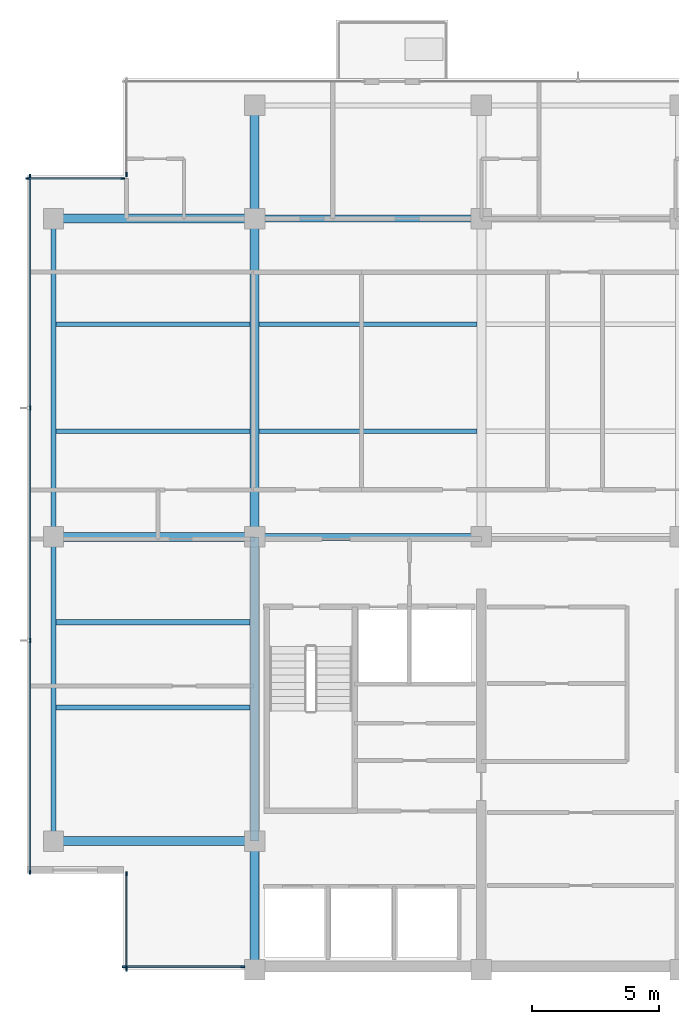
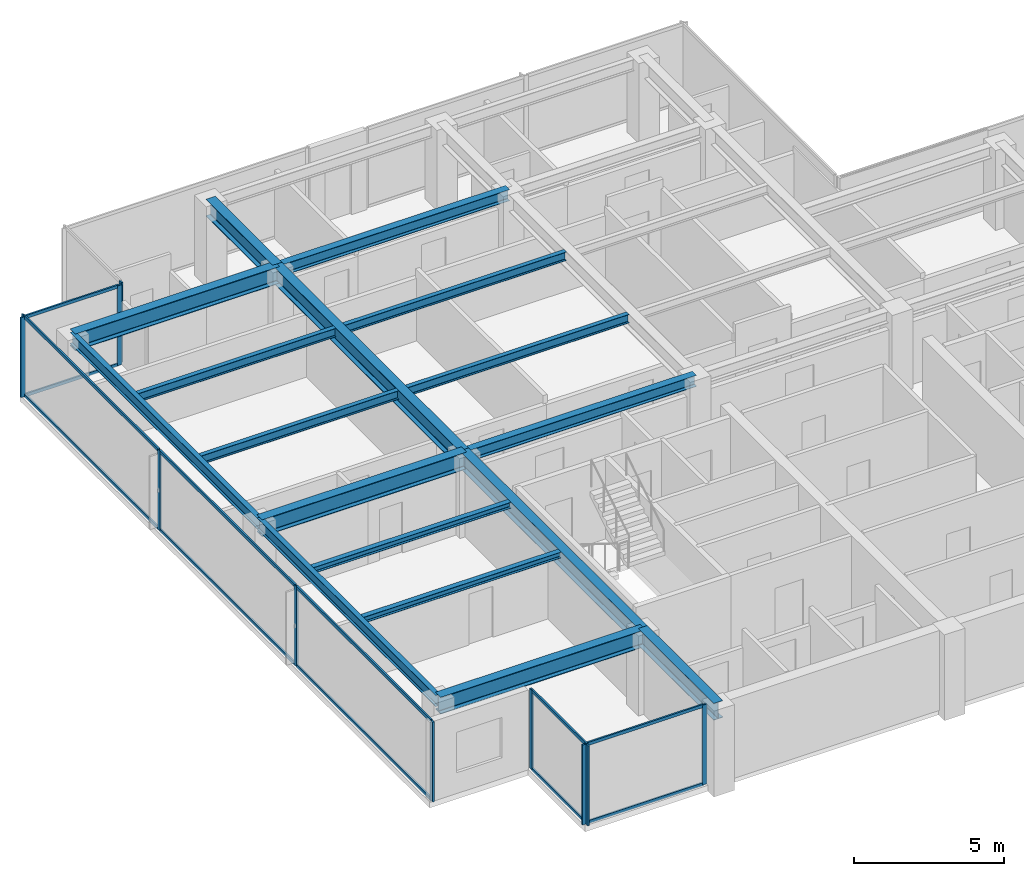
# One storey, part 2 of 11: 23 members, 17 beams, 5 elements without a shape of their own.
"""IFC4 building model written with IfcOpenShell, lengths in metres."""

from ifc_helpers import new_model, si_unit, direction, frame, origin, origin_2d, place, context, subcontext, project, spatial, rectangle, i_section, extrude, material, layer, layer_set, material_profile, profile_set, type_object, element, aggregate, save


model = new_model("IFC4")

# Units and contexts
model_context = context("Model", 3, precision=1e-05, world=origin(), true_north=direction((0.0, 1.0)))
body_context = subcontext(model_context, "Body", "Model", "MODEL_VIEW")
ifc_project = project(units=[si_unit("LENGTHUNIT", "METRE"), si_unit("AREAUNIT", "SQUARE_METRE"), si_unit("VOLUMEUNIT", "CUBIC_METRE"), si_unit("PLANEANGLEUNIT", "RADIAN"), si_unit("MASSUNIT", "GRAM", prefix="KILO")], contexts=[model_context])

# Site, building, storey
site_placement = place(None, origin())
site = spatial("IfcSite", under=ifc_project, at=site_placement, CompositionType="ELEMENT")
building_placement = place(site_placement, origin())
building = spatial("IfcBuilding", under=site, at=building_placement, Name="Qalmaran Belvedere Hotel", CompositionType="ELEMENT")
storey_placement = place(building_placement, frame((0.0, 0.0, 245.89990234375)))
storey = spatial("IfcBuildingStorey", under=building, at=storey_placement, Name="L63", CompositionType="ELEMENT", Elevation=245.89990234375)

# Beams
ifc_material_1 = material(Name="Steel S355JR", Category="steel")
ifc_material_profile_1 = material_profile(ifc_material_1, i_section(OverallWidth=0.201904296875, OverallDepth=0.2470703125, WebThickness=0.00732421875, FlangeThickness=0.010986328125, FilletRadius=0.011962890625, at=origin_2d()), Name="W250X49")
ifc_profile_set_1 = profile_set([ifc_material_profile_1], Name="Steel S355JR")
beam_type_1 = type_object("IfcBeamType", Name="BM-JST-W250X49", PredefinedType="JOIST", material=ifc_profile_set_1)
for number, where, z_axis, x_axis, name in (
    (1, (12.493896484375, 13.800048828125, 3.13671875), (1.0, 0.0, 0.0), (0.0, 1.0, 0.0), "L63 West Wing Joist 031"),
    (2, (12.493896484375, 17.14990234375, 3.13671875), (1.0, 0.0, 0.0), (0.0, 1.0, 0.0), "L63 West Wing Joist 033"),
):
    element("IfcBeam", number, at=place(storey_placement, frame(where, z_axis=z_axis, x_axis=x_axis)), inside=storey, type_object=beam_type_1, Name=name, PredefinedType="JOIST", context=body_context, shape_type="SweptSolid", body=[
        extrude(i_section(OverallWidth=0.201904296875, OverallDepth=0.2470703125, WebThickness=0.00732421875, FlangeThickness=0.010986328125, FilletRadius=0.011962890625, at=origin_2d()), origin(), (0.0, 0.0, 1.0), 7.630615234375),
    ])
ifc_material_profile_2 = material_profile(ifc_material_1, i_section(OverallWidth=0.172119140625, OverallDepth=0.35791015625, WebThickness=0.0078125, FlangeThickness=0.01318359375, FilletRadius=0.014892578125, at=origin_2d()), Name="W360X57")
ifc_profile_set_2 = profile_set([ifc_material_profile_2], Name="Steel S355JR")
beam_type_2 = type_object("IfcBeamType", Name="BM-SB4-W360X57", PredefinedType="BEAM", material=ifc_profile_set_2)
beam_1_placement = place(storey_placement, frame((12.493896484375, 24.64990234375, 3.0810546875), z_axis=(1.0, 0.0, 0.0), x_axis=(0.0, 1.0, 0.0)))
element("IfcBeam", 3, at=beam_1_placement, inside=storey, type_object=beam_type_2, Name="L63 West Secondary Beam 024", PredefinedType="BEAM", context=body_context, shape_type="SweptSolid", body=[
    extrude(i_section(OverallWidth=0.172119140625, OverallDepth=0.35791015625, WebThickness=0.0078125, FlangeThickness=0.01318359375, FilletRadius=0.014892578125, at=origin_2d()), origin(), (0.0, 0.0, 1.0), 7.630615234375),
])
beam_2_placement = place(storey_placement, frame((20.4755859375, 24.64990234375, 3.0810546875), z_axis=(1.0, 0.0, 0.0), x_axis=(0.0, 1.0, 0.0)))
element("IfcBeam", 4, at=beam_2_placement, inside=storey, type_object=beam_type_2, Name="L63 Secondary Floor Beam 025", PredefinedType="BEAM", context=body_context, shape_type="SweptSolid", body=[
    extrude(i_section(OverallWidth=0.172119140625, OverallDepth=0.35791015625, WebThickness=0.0078125, FlangeThickness=0.01318359375, FilletRadius=0.014892578125, at=origin_2d()), origin(), (0.0, 0.0, 1.0), 8.548828125),
])
beam_3_placement = place(storey_placement, frame((12.493896484375, 28.85009765625, 3.0810546875), z_axis=(1.0, 0.0, 0.0), x_axis=(0.0, 1.0, 0.0)))
element("IfcBeam", 5, at=beam_3_placement, inside=storey, type_object=beam_type_2, Name="L63 West Secondary Beam 028", PredefinedType="BEAM", context=body_context, shape_type="SweptSolid", body=[
    extrude(i_section(OverallWidth=0.172119140625, OverallDepth=0.35791015625, WebThickness=0.0078125, FlangeThickness=0.01318359375, FilletRadius=0.014892578125, at=origin_2d()), origin(), (0.0, 0.0, 1.0), 7.630615234375),
])
beam_4_placement = place(storey_placement, frame((20.4755859375, 28.85009765625, 3.0810546875), z_axis=(1.0, 0.0, 0.0), x_axis=(0.0, 1.0, 0.0)))
element("IfcBeam", 6, at=beam_4_placement, inside=storey, type_object=beam_type_2, Name="L63 Secondary Floor Beam 029", PredefinedType="BEAM", context=body_context, shape_type="SweptSolid", body=[
    extrude(i_section(OverallWidth=0.172119140625, OverallDepth=0.35791015625, WebThickness=0.0078125, FlangeThickness=0.01318359375, FilletRadius=0.014892578125, at=origin_2d()), origin(), (0.0, 0.0, 1.0), 8.548828125),
])
ifc_material_profile_3 = material_profile(ifc_material_1, i_section(OverallWidth=0.19189453125, OverallDepth=0.462890625, WebThickness=0.010498046875, FlangeThickness=0.017578125, FilletRadius=0.01611328125, at=origin_2d()), Name="W460X89")
ifc_profile_set_3 = profile_set([ifc_material_profile_3], Name="Steel S355JR")
beam_type_3 = type_object("IfcBeamType", Name="BM-SP2-W460X89", PredefinedType="SPANDREL", material=ifc_profile_set_3)
beam_5_placement = place(storey_placement, frame((12.39990234375, 8.550048828125, 3.028564453125), z_axis=(0.0, 1.0, 0.0), x_axis=(-1.0, 0.0, 0.0)))
element("IfcBeam", 7, at=beam_5_placement, inside=storey, type_object=beam_type_3, Name="L63 Perimeter Spandrel 01", PredefinedType="SPANDREL", context=body_context, shape_type="SweptSolid", body=[
    extrude(i_section(OverallWidth=0.19189453125, OverallDepth=0.462890625, WebThickness=0.010498046875, FlangeThickness=0.017578125, FilletRadius=0.01611328125, at=origin_2d()), origin(), (0.0, 0.0, 1.0), 11.949951171875),
])
beam_6_placement = place(storey_placement, frame((12.39990234375, 20.5, 3.028564453125), z_axis=(0.0, 1.0, 0.0), x_axis=(-1.0, 0.0, 0.0)))
element("IfcBeam", 8, at=beam_6_placement, inside=storey, type_object=beam_type_3, Name="L63 Perimeter Spandrel 02", PredefinedType="SPANDREL", context=body_context, shape_type="SweptSolid", body=[
    extrude(i_section(OverallWidth=0.19189453125, OverallDepth=0.462890625, WebThickness=0.010498046875, FlangeThickness=0.017578125, FilletRadius=0.01611328125, at=origin_2d()), origin(), (0.0, 0.0, 1.0), 12.5),
])
ifc_material_profile_4 = material_profile(ifc_material_1, i_section(OverallWidth=0.35498046875, OverallDepth=0.695068359375, WebThickness=0.015380859375, FlangeThickness=0.02490234375, FilletRadius=0.02197265625, at=origin_2d()), Name="W690X217")
ifc_profile_set_4 = profile_set([ifc_material_profile_4], Name="Steel S355JR")
beam_type_4 = type_object("IfcBeamType", Name="BM-Z1-W690X217", PredefinedType="USERDEFINED", material=ifc_profile_set_4)
beam_7_placement = place(storey_placement, frame((20.300048828125, 20.5, 2.91259765625), z_axis=(0.0, 1.0, 0.0), x_axis=(-1.0, 0.0, 0.0)))
element("IfcBeam", 9, at=beam_7_placement, inside=storey, type_object=beam_type_4, Name="L63 Mid-Plate N-S Girder 11", ObjectType="GIRDER", PredefinedType="USERDEFINED", context=body_context, shape_type="SweptSolid", body=[
    extrude(i_section(OverallWidth=0.35498046875, OverallDepth=0.695068359375, WebThickness=0.015380859375, FlangeThickness=0.02490234375, FilletRadius=0.02197265625, at=origin_2d()), origin(), (0.0, 0.0, 1.0), 12.5),
])
beam_8_placement = place(storey_placement, frame((20.300048828125, 33.0, 2.91259765625), z_axis=(0.0, 1.0, 0.0), x_axis=(-1.0, 0.0, 0.0)))
element("IfcBeam", 10, at=beam_8_placement, inside=storey, type_object=beam_type_4, Name="L63 North Bay Girder 12", ObjectType="GIRDER", PredefinedType="USERDEFINED", context=body_context, shape_type="SweptSolid", body=[
    extrude(i_section(OverallWidth=0.35498046875, OverallDepth=0.695068359375, WebThickness=0.015380859375, FlangeThickness=0.02490234375, FilletRadius=0.02197265625, at=origin_2d()), origin(), (0.0, 0.0, 1.0), 4.449951171875),
])
for number, where, z_axis, x_axis, name in (
    (11, (12.39990234375, 8.550048828125, 2.91259765625), (1.0, 0.0, 0.0), (0.0, 1.0, 0.0), "L63 West Wing Girder 19"),
    (12, (12.39990234375, 20.5, 2.91259765625), (1.0, 0.0, 0.0), (0.0, 1.0, 0.0), "L63 West Wing Girder 20"),
    (13, (12.39990234375, 33.0, 2.91259765625), (1.0, 0.0, 0.0), (0.0, 1.0, 0.0), "L63 West Wing Girder 21"),
):
    element("IfcBeam", number, at=place(storey_placement, frame(where, z_axis=z_axis, x_axis=x_axis)), inside=storey, type_object=beam_type_4, Name=name, ObjectType="GIRDER", PredefinedType="USERDEFINED", context=body_context, shape_type="SweptSolid", body=[
        extrude(i_section(OverallWidth=0.35498046875, OverallDepth=0.695068359375, WebThickness=0.015380859375, FlangeThickness=0.02490234375, FilletRadius=0.02197265625, at=origin_2d()), origin(), (0.0, 0.0, 1.0), 7.900146484375),
    ])
beam_9_placement = place(storey_placement, frame((20.300048828125, 3.5, 2.91259765625), z_axis=(0.0, 1.0, 0.0), x_axis=(-1.0, 0.0, 0.0)))
element("IfcBeam", 14, at=beam_9_placement, inside=storey, type_object=beam_type_4, Name="L63 West Core Edge Girder A", ObjectType="GIRDER", PredefinedType="USERDEFINED", context=body_context, shape_type="SweptSolid", body=[
    extrude(i_section(OverallWidth=0.35498046875, OverallDepth=0.695068359375, WebThickness=0.015380859375, FlangeThickness=0.02490234375, FilletRadius=0.02197265625, at=origin_2d()), origin(), (0.0, 0.0, 1.0), 5.050048828125),
])
beam_10_placement = place(storey_placement, frame((20.300048828125, 8.550048828125, 2.91259765625), z_axis=(0.0, 1.0, 0.0), x_axis=(-1.0, 0.0, 0.0)))
element("IfcBeam", 15, at=beam_10_placement, inside=storey, type_object=beam_type_4, Name="L63 West Core Edge Girder B", ObjectType="GIRDER", PredefinedType="USERDEFINED", context=body_context, shape_type="SweptSolid", body=[
    extrude(i_section(OverallWidth=0.35498046875, OverallDepth=0.695068359375, WebThickness=0.015380859375, FlangeThickness=0.02490234375, FilletRadius=0.02197265625, at=origin_2d()), origin(), (0.0, 0.0, 1.0), 11.949951171875),
])
ifc_material_profile_5 = material_profile(ifc_material_1, i_section(OverallWidth=0.280029296875, OverallDepth=0.462890625, WebThickness=0.0107421875, FlangeThickness=0.017333984375, FilletRadius=0.01611328125, at=origin_2d()), Name="W460X113")
ifc_profile_set_5 = profile_set([ifc_material_profile_5], Name="Steel S355JR")
beam_type_5 = type_object("IfcBeamType", Name="BM-Z5-W460X113", PredefinedType="USERDEFINED", material=ifc_profile_set_5)
for number, where, z_axis, x_axis, name in (
    (16, (20.300048828125, 20.5, 3.028564453125), (1.0, 0.0, 0.0), (0.0, 1.0, 0.0), "L63 Interior E-W Girder 06"),
    (17, (20.300048828125, 33.0, 3.028564453125), (1.0, 0.0, 0.0), (0.0, 1.0, 0.0), "L63 Interior E-W Girder 09"),
):
    element("IfcBeam", number, at=place(storey_placement, frame(where, z_axis=z_axis, x_axis=x_axis)), inside=storey, type_object=beam_type_5, Name=name, ObjectType="GIRDER", PredefinedType="USERDEFINED", context=body_context, shape_type="SweptSolid", body=[
        extrude(i_section(OverallWidth=0.280029296875, OverallDepth=0.462890625, WebThickness=0.0107421875, FlangeThickness=0.017333984375, FilletRadius=0.01611328125, at=origin_2d()), origin(), (0.0, 0.0, 1.0), 8.89990234375),
    ])

# Curtain wall, members
ifc_material_2 = material(Name="Anodised Bronze Aluminium", Category="aluminium")
ifc_layer = layer(ifc_material_2, 0.18505859375, Name="Anodised Bronze Aluminium")
ifc_layer_set = layer_set([ifc_layer], Name="Anodised Bronze Aluminium")
curtain_wall_type = type_object("IfcCurtainWallType", Name="CW6-TOWER-SKY", PredefinedType="NOTDEFINED", material=ifc_layer_set)
curtain_wall_1_placement = place(storey_placement, origin())
curtain_wall_1 = element("IfcCurtainWall", 18, at=curtain_wall_1_placement, inside=storey, type_object=curtain_wall_type, Name="L63 Curtain Wall CW6", PredefinedType="NOTDEFINED")
ifc_material_profile_6 = material_profile(ifc_material_2, rectangle(XDim=0.06494140625, YDim=0.1650390625, at=origin_2d()), Name="CWM65X165")
ifc_profile_set_6 = profile_set([ifc_material_profile_6], Name="Anodised Bronze Aluminium")
member_type_1 = type_object("IfcMemberType", Name="CWM-65X165", PredefinedType="MULLION", material=ifc_profile_set_6)
member_1_placement = place(storey_placement, frame((15.1826171875, 3.6201171875, 0.0), z_axis=(0.0, 0.0, 1.0), x_axis=(0.0, 1.0, 0.0)))
member_1 = element("IfcMember", 19, at=member_1_placement, type_object=member_type_1, Name="CW6 mullion 1", PredefinedType="MULLION", context=body_context, shape_type="SweptSolid", body=[
    extrude(rectangle(XDim=0.06494140625, YDim=0.1650390625, at=origin_2d()), origin(), (0.0, 0.0, 1.0), 3.260009765625),
])
member_2_placement = place(storey_placement, frame((19.827392578125, 3.6201171875, 0.0), z_axis=(0.0, 0.0, 1.0), x_axis=(0.0, 1.0, 0.0)))
member_2 = element("IfcMember", 20, at=member_2_placement, type_object=member_type_1, Name="CW6 mullion 2", PredefinedType="MULLION", context=body_context, shape_type="SweptSolid", body=[
    extrude(rectangle(XDim=0.06494140625, YDim=0.1650390625, at=origin_2d()), origin(), (0.0, 0.0, 1.0), 3.260009765625),
])

# Curtain wall, member
curtain_wall_2_placement = place(storey_placement, origin())
curtain_wall_2 = element("IfcCurtainWall", 21, at=curtain_wall_2_placement, inside=storey, type_object=curtain_wall_type, Name="L63 Curtain Wall CW6", PredefinedType="NOTDEFINED")
member_3_placement = place(storey_placement, frame((15.27001953125, 34.732421875, 0.0), z_axis=(0.0, 0.0, 1.0), x_axis=(1.0, 0.0, 0.0)))
member_3 = element("IfcMember", 22, at=member_3_placement, type_object=member_type_1, Name="CW6 mullion 2", PredefinedType="MULLION", context=body_context, shape_type="SweptSolid", body=[
    extrude(rectangle(XDim=0.06494140625, YDim=0.1650390625, at=origin_2d()), origin(), (0.0, 0.0, 1.0), 3.260009765625),
])
aggregate(curtain_wall_2, [member_3])

# Curtain wall, members
curtain_wall_3_placement = place(storey_placement, origin())
curtain_wall_3 = element("IfcCurtainWall", 23, at=curtain_wall_3_placement, inside=storey, type_object=curtain_wall_type, Name="L63 Curtain Wall CW6", PredefinedType="NOTDEFINED")
member_4_placement = place(storey_placement, frame((15.117431640625, 34.580078125, 0.0), z_axis=(0.0, 0.0, 1.0), x_axis=(0.0, -1.0, 0.0)))
member_4 = element("IfcMember", 24, at=member_4_placement, type_object=member_type_1, Name="CW6 mullion 1", PredefinedType="MULLION", context=body_context, shape_type="SweptSolid", body=[
    extrude(rectangle(XDim=0.06494140625, YDim=0.1650390625, at=origin_2d()), origin(), (0.0, 0.0, 1.0), 3.260009765625),
])
member_5_placement = place(storey_placement, frame((11.382568359375, 34.580078125, 0.0), z_axis=(0.0, 0.0, 1.0), x_axis=(0.0, -1.0, 0.0)))
member_5 = element("IfcMember", 25, at=member_5_placement, type_object=member_type_1, Name="CW6 mullion 2", PredefinedType="MULLION", context=body_context, shape_type="SweptSolid", body=[
    extrude(rectangle(XDim=0.06494140625, YDim=0.1650390625, at=origin_2d()), origin(), (0.0, 0.0, 1.0), 3.260009765625),
])

curtain_wall_4_placement = place(storey_placement, origin())
curtain_wall_4 = element("IfcCurtainWall", 26, at=curtain_wall_4_placement, inside=storey, type_object=curtain_wall_type, Name="L63 Curtain Wall CW6", PredefinedType="NOTDEFINED")
member_6_placement = place(storey_placement, frame((11.469970703125, 34.66748046875, 0.0), z_axis=(0.0, 0.0, 1.0), x_axis=(1.0, 0.0, 0.0)))
member_6 = element("IfcMember", 27, at=member_6_placement, type_object=member_type_1, Name="CW6 mullion 1", PredefinedType="MULLION", context=body_context, shape_type="SweptSolid", body=[
    extrude(rectangle(XDim=0.06494140625, YDim=0.1650390625, at=origin_2d()), origin(), (0.0, 0.0, 1.0), 3.260009765625),
])
member_7_placement = place(storey_placement, frame((11.469970703125, 25.566650390625, 0.0), z_axis=(0.0, 0.0, 1.0), x_axis=(1.0, 0.0, 0.0)))
member_7 = element("IfcMember", 28, at=member_7_placement, type_object=member_type_1, Name="CW6 mullion 2", PredefinedType="MULLION", context=body_context, shape_type="SweptSolid", body=[
    extrude(rectangle(XDim=0.06494140625, YDim=0.1650390625, at=origin_2d()), origin(), (0.0, 0.0, 1.0), 3.260009765625),
])
member_8_placement = place(storey_placement, frame((11.469970703125, 16.433349609375, 0.0), z_axis=(0.0, 0.0, 1.0), x_axis=(1.0, 0.0, 0.0)))
member_8 = element("IfcMember", 29, at=member_8_placement, type_object=member_type_1, Name="CW6 mullion 3", PredefinedType="MULLION", context=body_context, shape_type="SweptSolid", body=[
    extrude(rectangle(XDim=0.06494140625, YDim=0.1650390625, at=origin_2d()), origin(), (0.0, 0.0, 1.0), 3.260009765625),
])
member_9_placement = place(storey_placement, frame((11.469970703125, 7.33251953125, 0.0), z_axis=(0.0, 0.0, 1.0), x_axis=(1.0, 0.0, 0.0)))
member_9 = element("IfcMember", 30, at=member_9_placement, type_object=member_type_1, Name="CW6 mullion 4", PredefinedType="MULLION", context=body_context, shape_type="SweptSolid", body=[
    extrude(rectangle(XDim=0.06494140625, YDim=0.1650390625, at=origin_2d()), origin(), (0.0, 0.0, 1.0), 3.260009765625),
])

curtain_wall_5_placement = place(storey_placement, origin())
curtain_wall_5 = element("IfcCurtainWall", 31, at=curtain_wall_5_placement, inside=storey, type_object=curtain_wall_type, Name="L63 Curtain Wall CW6", PredefinedType="NOTDEFINED")
member_10_placement = place(storey_placement, frame((15.27001953125, 7.267578125, 0.0), z_axis=(0.0, 0.0, 1.0), x_axis=(1.0, 0.0, 0.0)))
member_10 = element("IfcMember", 32, at=member_10_placement, type_object=member_type_1, Name="CW6 mullion 1", PredefinedType="MULLION", context=body_context, shape_type="SweptSolid", body=[
    extrude(rectangle(XDim=0.06494140625, YDim=0.1650390625, at=origin_2d()), origin(), (0.0, 0.0, 1.0), 3.260009765625),
])
member_11_placement = place(storey_placement, frame((15.27001953125, 3.532470703125, 0.0), z_axis=(0.0, 0.0, 1.0), x_axis=(1.0, 0.0, 0.0)))
member_11 = element("IfcMember", 33, at=member_11_placement, type_object=member_type_1, Name="CW6 mullion 2", PredefinedType="MULLION", context=body_context, shape_type="SweptSolid", body=[
    extrude(rectangle(XDim=0.06494140625, YDim=0.1650390625, at=origin_2d()), origin(), (0.0, 0.0, 1.0), 3.260009765625),
])

# Member
ifc_material_profile_7 = material_profile(ifc_material_2, rectangle(XDim=0.06494140625, YDim=0.1298828125, at=origin_2d()), Name="CWT65X130")
ifc_profile_set_7 = profile_set([ifc_material_profile_7], Name="Anodised Bronze Aluminium")
member_type_2 = type_object("IfcMemberType", Name="CWT-65X130", PredefinedType="USERDEFINED", material=ifc_profile_set_7)
member_12_placement = place(storey_placement, frame((15.215087890625, 3.6201171875, 0.03271484375), z_axis=(1.0, 0.0, 0.0), x_axis=(0.0, 1.0, 0.0)))
member_12 = element("IfcMember", 34, at=member_12_placement, type_object=member_type_2, Name="CW6 transom 1.1", ObjectType="TRANSOM", PredefinedType="USERDEFINED", context=body_context, shape_type="SweptSolid", body=[
    extrude(rectangle(XDim=0.06494140625, YDim=0.1298828125, at=origin_2d()), origin(), (0.0, 0.0, 1.0), 4.579833984375),
])

member_13_placement = place(storey_placement, frame((15.215087890625, 3.6201171875, 3.2275390625), z_axis=(1.0, 0.0, 0.0), x_axis=(0.0, 1.0, 0.0)))
member_13 = element("IfcMember", 35, at=member_13_placement, type_object=member_type_2, Name="CW6 transom 1.2", ObjectType="TRANSOM", PredefinedType="USERDEFINED", context=body_context, shape_type="SweptSolid", body=[
    extrude(rectangle(XDim=0.06494140625, YDim=0.1298828125, at=origin_2d()), origin(), (0.0, 0.0, 1.0), 4.579833984375),
])

aggregate(curtain_wall_1, [member_1, member_2, member_12, member_13])

member_14_placement = place(storey_placement, frame((15.0849609375, 34.580078125, 0.03271484375), z_axis=(-1.0, 0.0, 0.0), x_axis=(0.0, -1.0, 0.0)))
member_14 = element("IfcMember", 36, at=member_14_placement, type_object=member_type_2, Name="CW6 transom 1.1", ObjectType="TRANSOM", PredefinedType="USERDEFINED", context=body_context, shape_type="SweptSolid", body=[
    extrude(rectangle(XDim=0.06494140625, YDim=0.1298828125, at=origin_2d()), origin(), (0.0, 0.0, 1.0), 3.669921875),
])

member_15_placement = place(storey_placement, frame((15.0849609375, 34.580078125, 3.2275390625), z_axis=(-1.0, 0.0, 0.0), x_axis=(0.0, -1.0, 0.0)))
member_15 = element("IfcMember", 37, at=member_15_placement, type_object=member_type_2, Name="CW6 transom 1.2", ObjectType="TRANSOM", PredefinedType="USERDEFINED", context=body_context, shape_type="SweptSolid", body=[
    extrude(rectangle(XDim=0.06494140625, YDim=0.1298828125, at=origin_2d()), origin(), (0.0, 0.0, 1.0), 3.669921875),
])

aggregate(curtain_wall_3, [member_4, member_5, member_14, member_15])

member_16_placement = place(storey_placement, frame((11.469970703125, 34.635009765625, 0.03271484375), z_axis=(0.0, -1.0, 0.0), x_axis=(1.0, 0.0, 0.0)))
member_16 = element("IfcMember", 38, at=member_16_placement, type_object=member_type_2, Name="CW6 transom 1.1", ObjectType="TRANSOM", PredefinedType="USERDEFINED", context=body_context, shape_type="SweptSolid", body=[
    extrude(rectangle(XDim=0.06494140625, YDim=0.1298828125, at=origin_2d()), origin(), (0.0, 0.0, 1.0), 9.035888671875),
])

member_17_placement = place(storey_placement, frame((11.469970703125, 34.635009765625, 3.2275390625), z_axis=(0.0, -1.0, 0.0), x_axis=(1.0, 0.0, 0.0)))
member_17 = element("IfcMember", 39, at=member_17_placement, type_object=member_type_2, Name="CW6 transom 1.2", ObjectType="TRANSOM", PredefinedType="USERDEFINED", context=body_context, shape_type="SweptSolid", body=[
    extrude(rectangle(XDim=0.06494140625, YDim=0.1298828125, at=origin_2d()), origin(), (0.0, 0.0, 1.0), 9.035888671875),
])

member_18_placement = place(storey_placement, frame((11.469970703125, 25.5341796875, 0.03271484375), z_axis=(0.0, -1.0, 0.0), x_axis=(1.0, 0.0, 0.0)))
member_18 = element("IfcMember", 40, at=member_18_placement, type_object=member_type_2, Name="CW6 transom 2.1", ObjectType="TRANSOM", PredefinedType="USERDEFINED", context=body_context, shape_type="SweptSolid", body=[
    extrude(rectangle(XDim=0.06494140625, YDim=0.1298828125, at=origin_2d()), origin(), (0.0, 0.0, 1.0), 9.068359375),
])

member_19_placement = place(storey_placement, frame((11.469970703125, 25.5341796875, 3.2275390625), z_axis=(0.0, -1.0, 0.0), x_axis=(1.0, 0.0, 0.0)))
member_19 = element("IfcMember", 41, at=member_19_placement, type_object=member_type_2, Name="CW6 transom 2.2", ObjectType="TRANSOM", PredefinedType="USERDEFINED", context=body_context, shape_type="SweptSolid", body=[
    extrude(rectangle(XDim=0.06494140625, YDim=0.1298828125, at=origin_2d()), origin(), (0.0, 0.0, 1.0), 9.068359375),
])

member_20_placement = place(storey_placement, frame((11.469970703125, 16.40087890625, 0.03271484375), z_axis=(0.0, -1.0, 0.0), x_axis=(1.0, 0.0, 0.0)))
member_20 = element("IfcMember", 42, at=member_20_placement, type_object=member_type_2, Name="CW6 transom 3.1", ObjectType="TRANSOM", PredefinedType="USERDEFINED", context=body_context, shape_type="SweptSolid", body=[
    extrude(rectangle(XDim=0.06494140625, YDim=0.1298828125, at=origin_2d()), origin(), (0.0, 0.0, 1.0), 9.035888671875),
])

member_21_placement = place(storey_placement, frame((11.469970703125, 16.40087890625, 3.2275390625), z_axis=(0.0, -1.0, 0.0), x_axis=(1.0, 0.0, 0.0)))
member_21 = element("IfcMember", 43, at=member_21_placement, type_object=member_type_2, Name="CW6 transom 3.2", ObjectType="TRANSOM", PredefinedType="USERDEFINED", context=body_context, shape_type="SweptSolid", body=[
    extrude(rectangle(XDim=0.06494140625, YDim=0.1298828125, at=origin_2d()), origin(), (0.0, 0.0, 1.0), 9.035888671875),
])

aggregate(curtain_wall_4, [member_6, member_7, member_8, member_9, member_16, member_17, member_18, member_19, member_20, member_21])

member_22_placement = place(storey_placement, frame((15.27001953125, 7.235107421875, 0.03271484375), z_axis=(0.0, -1.0, 0.0), x_axis=(1.0, 0.0, 0.0)))
member_22 = element("IfcMember", 44, at=member_22_placement, type_object=member_type_2, Name="CW6 transom 1.1", ObjectType="TRANSOM", PredefinedType="USERDEFINED", context=body_context, shape_type="SweptSolid", body=[
    extrude(rectangle(XDim=0.06494140625, YDim=0.1298828125, at=origin_2d()), origin(), (0.0, 0.0, 1.0), 3.670166015625),
])

member_23_placement = place(storey_placement, frame((15.27001953125, 7.235107421875, 3.2275390625), z_axis=(0.0, -1.0, 0.0), x_axis=(1.0, 0.0, 0.0)))
member_23 = element("IfcMember", 45, at=member_23_placement, type_object=member_type_2, Name="CW6 transom 1.2", ObjectType="TRANSOM", PredefinedType="USERDEFINED", context=body_context, shape_type="SweptSolid", body=[
    extrude(rectangle(XDim=0.06494140625, YDim=0.1298828125, at=origin_2d()), origin(), (0.0, 0.0, 1.0), 3.670166015625),
])

aggregate(curtain_wall_5, [member_10, member_11, member_22, member_23])

save(model, "model.ifc")
